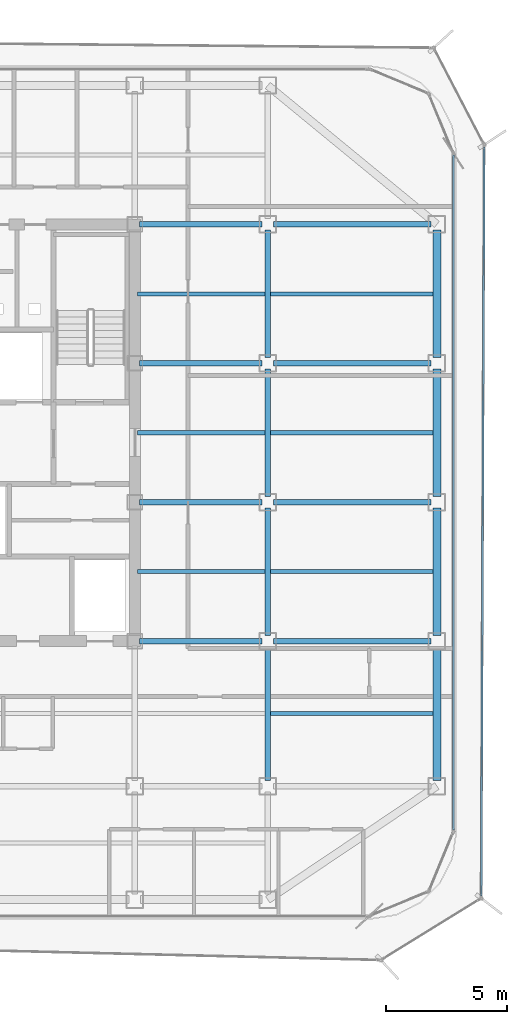
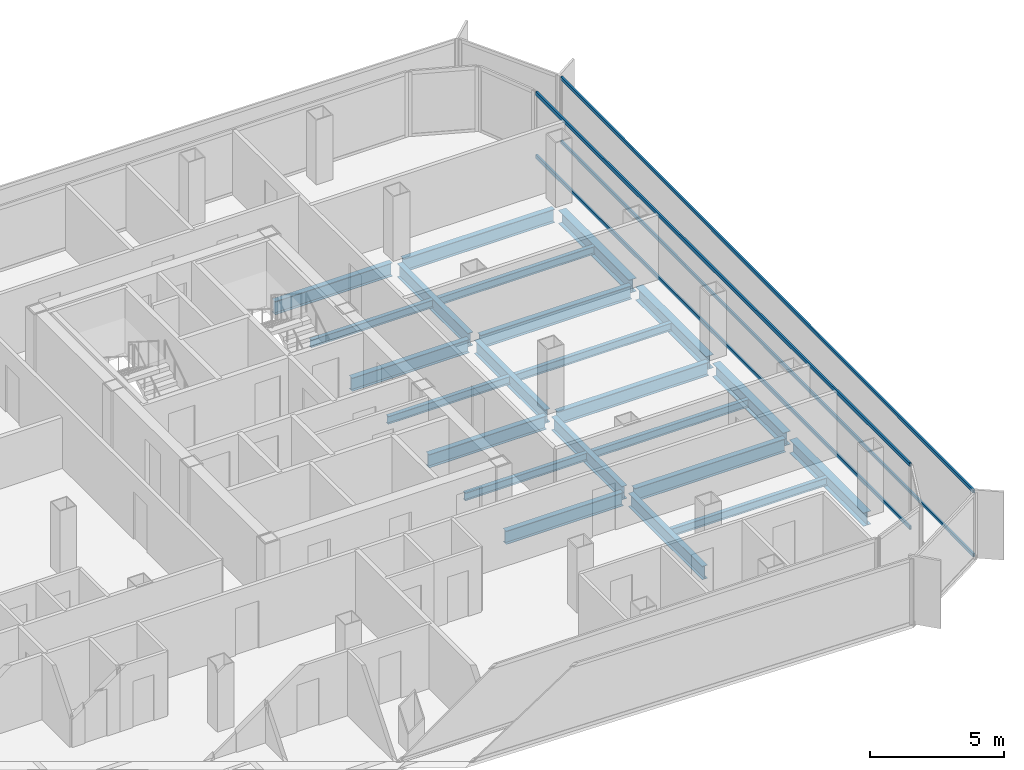
# One storey, part 5 of 15: 23 beams, 4 members, 2 elements without a shape of their own.
"""IFC4 building model written with IfcOpenShell, lengths in metres."""

from ifc_helpers import new_model, si_unit, direction, frame, origin, origin_2d, place, context, subcontext, project, spatial, hollow_rectangle, i_section, extrude, source, transform, mapped, material, layer, layer_set, material_profile, profile_set, type_object, element, aggregate, save


model = new_model("IFC4")

# Units and contexts
model_context = context("Model", 3, precision=1e-05, world=origin(), true_north=direction((0.0, 1.0)))
body_context = subcontext(model_context, "Body", "Model", "MODEL_VIEW")
ifc_project = project(units=[si_unit("LENGTHUNIT", "METRE"), si_unit("AREAUNIT", "SQUARE_METRE"), si_unit("VOLUMEUNIT", "CUBIC_METRE"), si_unit("PLANEANGLEUNIT", "RADIAN"), si_unit("MASSUNIT", "GRAM", prefix="KILO")], contexts=[model_context])

# Site, building, storey
site_placement = place(None, origin())
site = spatial("IfcSite", under=ifc_project, at=site_placement, CompositionType="ELEMENT")
building_placement = place(site_placement, origin())
building = spatial("IfcBuilding", under=site, at=building_placement, Name="Kolveth Station Tower", CompositionType="ELEMENT")
storey_placement = place(building_placement, frame((0.0, 0.0, 181.699951171875)))
storey = spatial("IfcBuildingStorey", under=building, at=storey_placement, Name="L51", CompositionType="ELEMENT", Elevation=181.699951171875)

# Beams
ifc_material_1 = material(Name="Steel S355", Category="steel")
ifc_material_profile_1 = material_profile(ifc_material_1, i_section(OverallWidth=0.323974609375, OverallDepth=0.611083984375, WebThickness=0.0126953125, FlangeThickness=0.01904296875, at=origin_2d()), Name="W610x155")
ifc_profile_set_1 = profile_set([ifc_material_profile_1], Name="Steel S355")
beam_type_1 = type_object("IfcBeamType", Name="Beam_SP2", PredefinedType="SPANDREL", material=ifc_profile_set_1)
shared_shape_1 = source(origin(), body_context, "Body", "SweptSolid", [
    extrude(i_section(OverallWidth=0.323974609375, OverallDepth=0.611083984375, WebThickness=0.0126953125, FlangeThickness=0.01904296875, at=origin_2d()), origin(), (0.0, 0.0, 1.0), 5.52001953125),
])
beam_1_placement = place(storey_placement, frame((41.0, 5.739990234375, -0.555419921875), z_axis=(0.0, 1.0, 0.0), x_axis=(-1.0, 0.0, 0.0)))
element("IfcBeam", 1, at=beam_1_placement, inside=storey, type_object=beam_type_1, Name="L51 Perimeter Spandrel BM-L51-PE-1", PredefinedType="SPANDREL", context=body_context, shape_type="MappedRepresentation", body=[
    mapped(shared_shape_1, transform((0.0, 0.0, 0.0), x_axis=(1.0, 0.0, 0.0), y_axis=(0.0, 1.0, 0.0), z_axis=(0.0, 0.0, 1.0), scale=1.0)),
])
shared_shape_2 = source(origin(), body_context, "Body", "SweptSolid", [
    extrude(i_section(OverallWidth=0.323974609375, OverallDepth=0.611083984375, WebThickness=0.0126953125, FlangeThickness=0.01904296875, at=origin_2d()), origin(), (0.0, 0.0, 1.0), 5.27001953125),
])
for number, where, z_axis, x_axis, name in (
    (2, (41.0, 11.739990234375, -0.555419921875), (0.0, 1.0, 0.0), (-1.0, 0.0, 0.0), "L51 Perimeter Spandrel BM-L51-PE-2"),
    (3, (41.0, 17.489990234375, -0.555419921875), (0.0, 1.0, 0.0), (-1.0, 0.0, 0.0), "L51 Perimeter Spandrel BM-L51-PE-3"),
    (4, (41.0, 23.239990234375, -0.555419921875), (0.0, 1.0, 0.0), (-1.0, 0.0, 0.0), "L51 Perimeter Spandrel BM-L51-PE-4"),
):
    element("IfcBeam", number, at=place(storey_placement, frame(where, z_axis=z_axis, x_axis=x_axis)), inside=storey, type_object=beam_type_1, Name=name, PredefinedType="SPANDREL", context=body_context, shape_type="MappedRepresentation", body=[
        mapped(shared_shape_2, transform((0.0, 0.0, 0.0), x_axis=(1.0, 0.0, 0.0), y_axis=(0.0, 1.0, 0.0), z_axis=(0.0, 0.0, 1.0), scale=1.0)),
    ])
ifc_material_profile_2 = material_profile(ifc_material_1, i_section(OverallWidth=0.22900390625, OverallDepth=0.612060546875, WebThickness=0.011962890625, FlangeThickness=0.01953125, at=origin_2d()), Name="W610x125")
ifc_profile_set_2 = profile_set([ifc_material_profile_2], Name="Steel S355")
beam_type_2 = type_object("IfcBeamType", Name="Beam_B5", PredefinedType="BEAM", material=ifc_profile_set_2)
shared_shape_3 = source(origin(), body_context, "Body", "SweptSolid", [
    extrude(i_section(OverallWidth=0.22900390625, OverallDepth=0.612060546875, WebThickness=0.011962890625, FlangeThickness=0.01953125, at=origin_2d()), origin(), (0.0, 0.0, 1.0), 6.52001953125),
])
for number, where, z_axis, x_axis, name in (
    (5, (34.239990234375, 11.5, -0.555908203125), (1.0, 0.0, 0.0), (0.0, 1.0, 0.0), "L51 Primary Girder BM-L51-GY115-6"),
    (6, (34.239990234375, 17.25, -0.555908203125), (1.0, 0.0, 0.0), (0.0, 1.0, 0.0), "L51 Primary Girder BM-L51-GY172-6"),
    (7, (34.239990234375, 23.0, -0.555908203125), (1.0, 0.0, 0.0), (0.0, 1.0, 0.0), "L51 Primary Girder BM-L51-GY230-6"),
    (8, (34.239990234375, 28.75, -0.555908203125), (1.0, 0.0, 0.0), (0.0, 1.0, 0.0), "L51 Primary Girder BM-L51-GY287-6"),
):
    element("IfcBeam", number, at=place(storey_placement, frame(where, z_axis=z_axis, x_axis=x_axis)), inside=storey, type_object=beam_type_2, Name=name, PredefinedType="BEAM", context=body_context, shape_type="MappedRepresentation", body=[
        mapped(shared_shape_3, transform((0.0, 0.0, 0.0), x_axis=(1.0, 0.0, 0.0), y_axis=(0.0, 1.0, 0.0), z_axis=(0.0, 0.0, 1.0), scale=1.0)),
    ])
shared_shape_4 = source(origin(), body_context, "Body", "SweptSolid", [
    extrude(i_section(OverallWidth=0.22900390625, OverallDepth=0.612060546875, WebThickness=0.011962890625, FlangeThickness=0.01953125, at=origin_2d()), origin(), (0.0, 0.0, 1.0), 5.06005859375),
])
for number, where, z_axis, x_axis, name in (
    (9, (28.699951171875, 11.5, -0.555908203125), (1.0, 0.0, 0.0), (0.0, 1.0, 0.0), "L51 Primary Girder BM-L51-GY115-5"),
    (10, (28.699951171875, 17.25, -0.555908203125), (1.0, 0.0, 0.0), (0.0, 1.0, 0.0), "L51 Primary Girder BM-L51-GY172-5"),
    (11, (28.699951171875, 23.0, -0.555908203125), (1.0, 0.0, 0.0), (0.0, 1.0, 0.0), "L51 Primary Girder BM-L51-GY230-5"),
    (12, (28.699951171875, 28.75, -0.555908203125), (1.0, 0.0, 0.0), (0.0, 1.0, 0.0), "L51 Primary Girder BM-L51-GY287-5"),
):
    element("IfcBeam", number, at=place(storey_placement, frame(where, z_axis=z_axis, x_axis=x_axis)), inside=storey, type_object=beam_type_2, Name=name, PredefinedType="BEAM", context=body_context, shape_type="MappedRepresentation", body=[
        mapped(shared_shape_4, transform((0.0, 0.0, 0.0), x_axis=(1.0, 0.0, 0.0), y_axis=(0.0, 1.0, 0.0), z_axis=(0.0, 0.0, 1.0), scale=1.0)),
    ])
shared_shape_5 = source(origin(), body_context, "Body", "SweptSolid", [
    extrude(i_section(OverallWidth=0.22900390625, OverallDepth=0.612060546875, WebThickness=0.011962890625, FlangeThickness=0.01953125, at=origin_2d()), origin(), (0.0, 0.0, 1.0), 5.52001953125),
])
beam_2_placement = place(storey_placement, frame((34.0, 5.739990234375, -0.555908203125), z_axis=(0.0, 1.0, 0.0), x_axis=(-1.0, 0.0, 0.0)))
element("IfcBeam", 13, at=beam_2_placement, inside=storey, type_object=beam_type_2, Name="L51 Primary Girder BM-L51-GX340-2", PredefinedType="BEAM", context=body_context, shape_type="MappedRepresentation", body=[
    mapped(shared_shape_5, transform((0.0, 0.0, 0.0), x_axis=(1.0, 0.0, 0.0), y_axis=(0.0, 1.0, 0.0), z_axis=(0.0, 0.0, 1.0), scale=1.0)),
])
shared_shape_6 = source(origin(), body_context, "Body", "SweptSolid", [
    extrude(i_section(OverallWidth=0.22900390625, OverallDepth=0.612060546875, WebThickness=0.011962890625, FlangeThickness=0.01953125, at=origin_2d()), origin(), (0.0, 0.0, 1.0), 5.27001953125),
])
for number, where, z_axis, x_axis, name in (
    (14, (34.0, 11.739990234375, -0.555908203125), (0.0, 1.0, 0.0), (-1.0, 0.0, 0.0), "L51 Primary Girder BM-L51-GX340-3"),
    (15, (34.0, 17.489990234375, -0.555908203125), (0.0, 1.0, 0.0), (-1.0, 0.0, 0.0), "L51 Primary Girder BM-L51-GX340-4"),
    (16, (34.0, 23.239990234375, -0.555908203125), (0.0, 1.0, 0.0), (-1.0, 0.0, 0.0), "L51 Primary Girder BM-L51-GX340-5"),
):
    element("IfcBeam", number, at=place(storey_placement, frame(where, z_axis=z_axis, x_axis=x_axis)), inside=storey, type_object=beam_type_2, Name=name, PredefinedType="BEAM", context=body_context, shape_type="MappedRepresentation", body=[
        mapped(shared_shape_6, transform((0.0, 0.0, 0.0), x_axis=(1.0, 0.0, 0.0), y_axis=(0.0, 1.0, 0.0), z_axis=(0.0, 0.0, 1.0), scale=1.0)),
    ])
ifc_material_profile_3 = material_profile(ifc_material_1, i_section(OverallWidth=0.1708984375, OverallDepth=0.35205078125, WebThickness=0.0068359375, FlangeThickness=0.009765625, at=origin_2d()), Name="W360x44")
ifc_profile_set_3 = profile_set([ifc_material_profile_3], Name="Steel S355")
beam_type_3 = type_object("IfcBeamType", Name="Beam_J2", PredefinedType="JOIST", material=ifc_profile_set_3)
shared_shape_7 = source(origin(), body_context, "Body", "SweptSolid", [
    extrude(i_section(OverallWidth=0.1708984375, OverallDepth=0.35205078125, WebThickness=0.0068359375, FlangeThickness=0.009765625, at=origin_2d()), origin(), (0.0, 0.0, 1.0), 5.27490234375),
])
for number, where, z_axis, x_axis, name in (
    (17, (28.612548828125, 14.375, -0.426025390625), (1.0, 0.0, 0.0), (0.0, 1.0, 0.0), "L51 Secondary Joist JST-L51-5-3"),
    (18, (28.612548828125, 20.125, -0.426025390625), (1.0, 0.0, 0.0), (0.0, 1.0, 0.0), "L51 Secondary Joist JST-L51-5-4"),
    (19, (28.612548828125, 25.875, -0.426025390625), (1.0, 0.0, 0.0), (0.0, 1.0, 0.0), "L51 Secondary Joist JST-L51-5-5"),
):
    element("IfcBeam", number, at=place(storey_placement, frame(where, z_axis=z_axis, x_axis=x_axis)), inside=storey, type_object=beam_type_3, Name=name, PredefinedType="JOIST", context=body_context, shape_type="MappedRepresentation", body=[
        mapped(shared_shape_7, transform((0.0, 0.0, 0.0), x_axis=(1.0, 0.0, 0.0), y_axis=(0.0, 1.0, 0.0), z_axis=(0.0, 0.0, 1.0), scale=1.0)),
    ])
shared_shape_8 = source(origin(), body_context, "Body", "SweptSolid", [
    extrude(i_section(OverallWidth=0.1708984375, OverallDepth=0.35205078125, WebThickness=0.0068359375, FlangeThickness=0.009765625, at=origin_2d()), origin(), (0.0, 0.0, 1.0), 6.7275390625),
])
for number, where, z_axis, x_axis, name in (
    (20, (34.112548828125, 8.5, -0.426025390625), (1.0, 0.0, 0.0), (0.0, 1.0, 0.0), "L51 Secondary Joist JST-L51-6-2"),
    (21, (34.112548828125, 14.375, -0.426025390625), (1.0, 0.0, 0.0), (0.0, 1.0, 0.0), "L51 Secondary Joist JST-L51-6-3"),
    (22, (34.112548828125, 20.125, -0.426025390625), (1.0, 0.0, 0.0), (0.0, 1.0, 0.0), "L51 Secondary Joist JST-L51-6-4"),
    (23, (34.112548828125, 25.875, -0.426025390625), (1.0, 0.0, 0.0), (0.0, 1.0, 0.0), "L51 Secondary Joist JST-L51-6-5"),
):
    element("IfcBeam", number, at=place(storey_placement, frame(where, z_axis=z_axis, x_axis=x_axis)), inside=storey, type_object=beam_type_3, Name=name, PredefinedType="JOIST", context=body_context, shape_type="MappedRepresentation", body=[
        mapped(shared_shape_8, transform((0.0, 0.0, 0.0), x_axis=(1.0, 0.0, 0.0), y_axis=(0.0, 1.0, 0.0), z_axis=(0.0, 0.0, 1.0), scale=1.0)),
    ])

# Curtain wall, members
ifc_material_2 = material(Name="Aluminium 6063-T6 and low-E dark glass", Category="aluminium")
ifc_layer_1 = layer(ifc_material_2, 0.18994140625)
ifc_layer_set_1 = layer_set([ifc_layer_1], Name="Aluminium 6063-T6 and low-E dark glass")
curtain_wall_type_1 = type_object("IfcCurtainWallType", Name="CurtainWall_CW-Z2", PredefinedType="NOTDEFINED", material=ifc_layer_set_1)
curtain_wall_1_placement = place(storey_placement, origin())
curtain_wall_1 = element("IfcCurtainWall", 24, at=curtain_wall_1_placement, inside=storey, type_object=curtain_wall_type_1, Name="L51 Inner Thermal Curtain Wall 3", PredefinedType="NOTDEFINED")
ifc_material_3 = material(Name="Black anodized aluminium 6063-T6", Category="aluminium")
ifc_material_profile_4 = material_profile(ifc_material_3, hollow_rectangle(XDim=0.080078125, YDim=0.169921875, WallThickness=0.0048828125, at=origin_2d()), Name="ALU-80x170x5")
ifc_profile_set_4 = profile_set([ifc_material_profile_4], Name="Black anodized aluminium 6063-T6")
member_type_1 = type_object("IfcMemberType", Name="Transom_TR2", PredefinedType="USERDEFINED", material=ifc_profile_set_4)
shared_shape_9 = source(origin(), body_context, "Body", "SweptSolid", [
    extrude(hollow_rectangle(XDim=0.080078125, YDim=0.169921875, WallThickness=0.0048828125, at=origin_2d()), origin(), (0.0, 0.0, 1.0), 27.940185546875),
])
member_1_placement = place(storey_placement, frame((41.679931640625, 3.679931640625, 0.0400390625), z_axis=(0.0, 1.0, 0.0), x_axis=(-1.0, 0.0, 0.0)))
member_1 = element("IfcMember", 25, at=member_1_placement, type_object=member_type_1, Name="CW-Z2 transom 1.1", ObjectType="TRANSOM", PredefinedType="USERDEFINED", context=body_context, shape_type="MappedRepresentation", body=[
    mapped(shared_shape_9, transform((0.0, 0.0, 0.0), x_axis=(1.0, 0.0, 0.0), y_axis=(0.0, 1.0, 0.0), z_axis=(0.0, 0.0, 1.0), scale=1.0)),
])
member_2_placement = place(storey_placement, frame((41.679931640625, 3.679931640625, 2.91015625), z_axis=(0.0, 1.0, 0.0), x_axis=(-1.0, 0.0, 0.0)))
member_2 = element("IfcMember", 26, at=member_2_placement, type_object=member_type_1, Name="CW-Z2 transom 1.2", ObjectType="TRANSOM", PredefinedType="USERDEFINED", context=body_context, shape_type="MappedRepresentation", body=[
    mapped(shared_shape_9, transform((0.0, 0.0, 0.0), x_axis=(1.0, 0.0, 0.0), y_axis=(0.0, 1.0, 0.0), z_axis=(0.0, 0.0, 1.0), scale=1.0)),
])
aggregate(curtain_wall_1, [member_1, member_2])

ifc_material_4 = material(Name="Black anodized aluminium 6063-T6 and dark solar glass", Category="aluminium")
ifc_layer_2 = layer(ifc_material_4, 0.159912109375)
ifc_layer_set_2 = layer_set([ifc_layer_2], Name="Black anodized aluminium 6063-T6 and dark solar glass")
curtain_wall_type_2 = type_object("IfcCurtainWallType", Name="OUTER SKIN CW-OS", PredefinedType="NOTDEFINED", material=ifc_layer_set_2)
curtain_wall_2_placement = place(storey_placement, origin())
curtain_wall_2 = element("IfcCurtainWall", 27, at=curtain_wall_2_placement, inside=storey, type_object=curtain_wall_type_2, Name="L51 Outer Ventilated Skin Curtain Wall 2", PredefinedType="NOTDEFINED")
ifc_material_profile_5 = material_profile(ifc_material_3, hollow_rectangle(XDim=0.080078125, YDim=0.14990234375, WallThickness=0.0048828125, at=origin_2d()), Name="ALU-80x150x5")
ifc_profile_set_5 = profile_set([ifc_material_profile_5], Name="Black anodized aluminium 6063-T6")
member_type_2 = type_object("IfcMemberType", Name="Transom_TR-OS", PredefinedType="USERDEFINED", material=ifc_profile_set_5)
shared_shape_10 = source(origin(), body_context, "Body", "SweptSolid", [
    extrude(hollow_rectangle(XDim=0.080078125, YDim=0.14990234375, WallThickness=0.0048828125, at=origin_2d()), origin(), (0.0, 0.0, 1.0), 31.0126953125),
])
member_3_placement = place(storey_placement, frame((42.83544921875, 0.946533203125, 0.0400390625), z_axis=(0.003991245654, 0.999992034947, 0.0), x_axis=(-0.999992034947, 0.003991245654, 0.0)))
member_3 = element("IfcMember", 28, at=member_3_placement, type_object=member_type_2, Name="CW-OS transom 1.1", ObjectType="TRANSOM", PredefinedType="USERDEFINED", context=body_context, shape_type="MappedRepresentation", body=[
    mapped(shared_shape_10, transform((0.0, 0.0, 0.0), x_axis=(1.0, 0.0, 0.0), y_axis=(0.0, 1.0, 0.0), z_axis=(0.0, 0.0, 1.0), scale=1.0)),
])
member_4_placement = place(storey_placement, frame((42.83544921875, 0.946533203125, 2.949951171875), z_axis=(0.003991245654, 0.999992034947, 0.0), x_axis=(-0.999992034947, 0.003991245654, 0.0)))
member_4 = element("IfcMember", 29, at=member_4_placement, type_object=member_type_2, Name="CW-OS transom 1.2", ObjectType="TRANSOM", PredefinedType="USERDEFINED", context=body_context, shape_type="MappedRepresentation", body=[
    mapped(shared_shape_10, transform((0.0, 0.0, 0.0), x_axis=(1.0, 0.0, 0.0), y_axis=(0.0, 1.0, 0.0), z_axis=(0.0, 0.0, 1.0), scale=1.0)),
])
aggregate(curtain_wall_2, [member_3, member_4])

save(model, "model.ifc")
